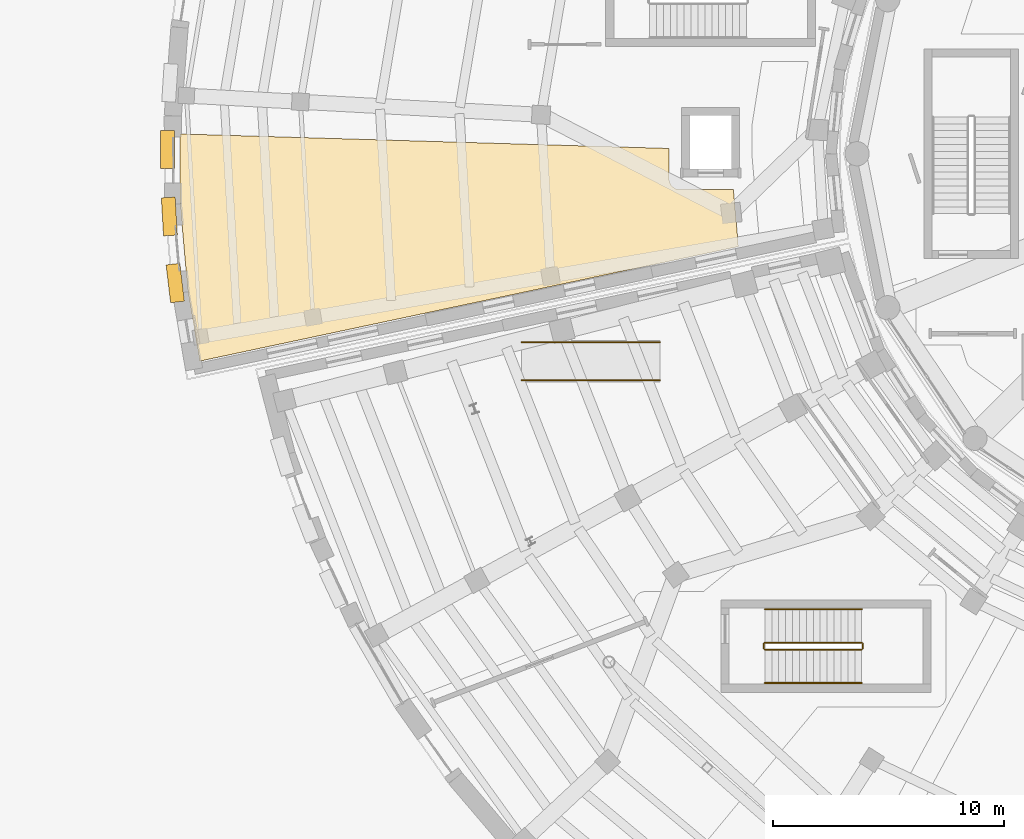
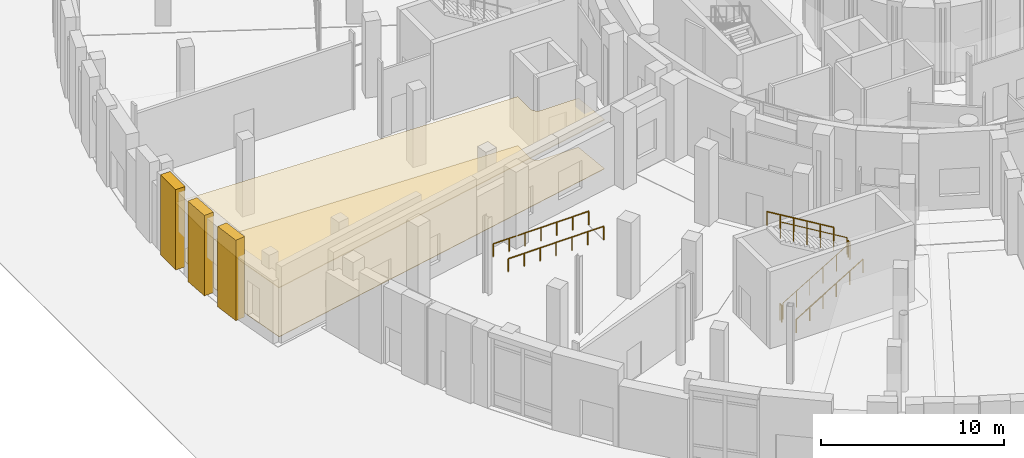
# One storey, part 58 of 74: 8 railings, 5 coverings.
"""IFC4 building model written with IfcOpenShell, lengths in metres."""

from ifc_helpers import new_model, si_unit, direction, frame, origin, origin_2d, place, context, subcontext, project, spatial, polyline, rectangle, circle, outline, extrude, material, layer, layer_set, type_object, element, save


model = new_model("IFC4")

# Units and contexts
model_context = context("Model", 3, precision=1e-05, world=origin(), true_north=direction((0.0, 1.0)))
body_context = subcontext(model_context, "Body", "Model", "MODEL_VIEW")
ifc_project = project(units=[si_unit("LENGTHUNIT", "METRE"), si_unit("AREAUNIT", "SQUARE_METRE"), si_unit("VOLUMEUNIT", "CUBIC_METRE"), si_unit("PLANEANGLEUNIT", "RADIAN"), si_unit("MASSUNIT", "GRAM", prefix="KILO")], contexts=[model_context])

# Site, building, storey
site_placement = place(None, origin())
site = spatial("IfcSite", under=ifc_project, at=site_placement, CompositionType="ELEMENT")
building_placement = place(site_placement, origin())
building = spatial("IfcBuilding", under=site, at=building_placement, Name="Soyqirgoq Riverine Aquarium", CompositionType="ELEMENT")
storey_placement = place(building_placement, origin())
storey = spatial("IfcBuildingStorey", under=building, at=storey_placement, Name="L01", CompositionType="ELEMENT", Elevation=0.0)

# Covering
ifc_material_1 = material(Name="Perforated mineral-fibre acoustic ceiling", Category="gypsum")
ifc_layer_1 = layer(ifc_material_1, 0.050048828125)
ifc_layer_set_1 = layer_set([ifc_layer_1], Name="Perforated mineral-fibre acoustic ceiling")
covering_type_1 = type_object("IfcCoveringType", Name="AcousticBaffleCeiling_50", PredefinedType="CEILING", material=ifc_layer_set_1)
covering_1_placement = place(storey_placement, frame((0.0, 0.0, 3.25)))
element("IfcCovering", 1, at=covering_1_placement, inside=storey, type_object=covering_type_1, Name="Syr Darya Floodplain Exhibit Suspended Ceiling", PredefinedType="CEILING", context=body_context, shape_type="SweptSolid", body=[
    extrude(outline(polyline([(9.533935546875, 51.02001953125), (9.200927734375, 54.820068359375), (9.18408203125, 57.85888671875), (30.39990234375, 57.22998046875), (30.39990234375, 55.89990234375), (30.402099609375, 55.85595703125), (30.408935546875, 55.81201171875), (30.4189453125, 55.76904296875), (30.43408203125, 55.72802734375), (30.452880859375, 55.68798828125), (30.47607421875, 55.64990234375), (30.501953125, 55.614990234375), (30.531982421875, 55.58203125), (30.56494140625, 55.552001953125), (30.60009765625, 55.52587890625), (30.637939453125, 55.5029296875), (30.677978515625, 55.48388671875), (30.718994140625, 55.468994140625), (30.761962890625, 55.458984375), (30.805908203125, 55.451904296875), (30.85009765625, 55.449951171875), (33.18603515625, 55.449951171875), (33.403076171875, 52.97412109375), (10.047119140625, 48.009033203125), (9.533935546875, 51.02001953125)])), origin(), (0.0, 0.0, 1.0), 0.050048828125),
])

# Railings
ifc_material_2 = material(Name="Brushed stainless steel 316L tubular handrail", Category="steel")
railing_type_1 = type_object("IfcRailingType", Name="StairPitchHandrail_920", PredefinedType="HANDRAIL", material=ifc_material_2)
railing_1_placement = place(storey_placement, frame((34.550048828125, 34.050048828125, 0.179931640625)))
element("IfcRailing", 2, at=railing_1_placement, inside=storey, type_object=railing_type_1, Name="L01 ST-2 stair handrail 1", PredefinedType="HANDRAIL", context=body_context, shape_type="SweptSolid", body=[
    extrude(circle(Radius=0.02392578125, at=origin_2d()), frame((0.0, 0.0, 0.89990234375), z_axis=(0.857488527567, 0.0, 0.514503085598), x_axis=(0.0, 1.0, 0.0)), (0.0, 0.0, 1.0), 4.89794921875),
    extrude(circle(Radius=0.02099609375, at=origin_2d()), origin(), (0.0, 0.0, 1.0), 0.875732421875),
    extrude(circle(Radius=0.02099609375, at=origin_2d()), frame((0.840087890625, 0.0, 0.50390625)), (0.0, 0.0, 1.0), 0.875732421875),
    extrude(circle(Radius=0.02099609375, at=origin_2d()), frame((1.679931640625, 0.0, 1.008056640625)), (0.0, 0.0, 1.0), 0.875732421875),
    extrude(circle(Radius=0.02099609375, at=origin_2d()), frame((2.52001953125, 0.0, 1.511962890625)), (0.0, 0.0, 1.0), 0.875732421875),
    extrude(circle(Radius=0.02099609375, at=origin_2d()), frame((3.35986328125, 0.0, 2.01611328125)), (0.0, 0.0, 1.0), 0.875732421875),
    extrude(circle(Radius=0.02099609375, at=origin_2d()), frame((4.199951171875, 0.0, 2.52001953125)), (0.0, 0.0, 1.0), 0.875732421875),
])
railing_2_placement = place(storey_placement, frame((38.75, 37.25, 2.8798828125)))
element("IfcRailing", 3, at=railing_2_placement, inside=storey, type_object=railing_type_1, Name="L01 ST-2 stair handrail 2", PredefinedType="HANDRAIL", context=body_context, shape_type="SweptSolid", body=[
    extrude(circle(Radius=0.02392578125, at=origin_2d()), frame((0.0, 0.0, 0.89990234375), z_axis=(-0.857488527567, 0.0, 0.514503085598), x_axis=(0.0, -1.0, 0.0)), (0.0, 0.0, 1.0), 4.89794921875),
    extrude(circle(Radius=0.02099609375, at=origin_2d()), origin(), (0.0, 0.0, 1.0), 0.875732421875),
    extrude(circle(Radius=0.02099609375, at=origin_2d()), frame((-0.840087890625, 0.0, 0.50390625)), (0.0, 0.0, 1.0), 0.875732421875),
    extrude(circle(Radius=0.02099609375, at=origin_2d()), frame((-1.679931640625, 0.0, 1.008056640625)), (0.0, 0.0, 1.0), 0.875732421875),
    extrude(circle(Radius=0.02099609375, at=origin_2d()), frame((-2.52001953125, 0.0, 1.511962890625)), (0.0, 0.0, 1.0), 0.875732421875),
    extrude(circle(Radius=0.02099609375, at=origin_2d()), frame((-3.35986328125, 0.0, 2.01611328125)), (0.0, 0.0, 1.0), 0.875732421875),
    extrude(circle(Radius=0.02099609375, at=origin_2d()), frame((-4.199951171875, 0.0, 2.52001953125)), (0.0, 0.0, 1.0), 0.875732421875),
])
for number, where, name in (
    (4, (24.0, 47.179931640625, -0.06005859375), "SW Entrance Step-Free Approach Ramp Handrail S"),
    (5, (24.0, 48.820068359375, -0.06005859375), "SW Entrance Step-Free Approach Ramp Handrail N"),
):
    element("IfcRailing", number, at=place(storey_placement, frame(where)), inside=storey, type_object=railing_type_1, Name=name, PredefinedType="HANDRAIL", context=body_context, shape_type="SweptSolid", body=[
        extrude(circle(Radius=0.02392578125, at=origin_2d()), frame((0.0, 0.0, 0.89599609375), z_axis=(0.99994990606, 0.0, 0.010009264196), x_axis=(0.0, 1.0, 0.0)), (0.0, 0.0, 1.0), 6.000244140625),
        extrude(circle(Radius=0.02099609375, at=origin_2d()), origin(), (0.0, 0.0, 1.0), 0.871826171875),
        extrude(circle(Radius=0.02099609375, at=origin_2d()), frame((1.0, 0.0, 0.010009765625)), (0.0, 0.0, 1.0), 0.871826171875),
        extrude(circle(Radius=0.02099609375, at=origin_2d()), frame((2.0, 0.0, 0.02001953125)), (0.0, 0.0, 1.0), 0.871826171875),
        extrude(circle(Radius=0.02099609375, at=origin_2d()), frame((3.0, 0.0, 0.030029296875)), (0.0, 0.0, 1.0), 0.871826171875),
        extrude(circle(Radius=0.02099609375, at=origin_2d()), frame((4.0, 0.0, 0.0400390625)), (0.0, 0.0, 1.0), 0.871826171875),
        extrude(circle(Radius=0.02099609375, at=origin_2d()), frame((5.0, 0.0, 0.050048828125)), (0.0, 0.0, 1.0), 0.871826171875),
        extrude(circle(Radius=0.02099609375, at=origin_2d()), frame((6.0, 0.0, 0.06005859375)), (0.0, 0.0, 1.0), 0.871826171875),
    ])
ifc_material_3 = material(Name="Painted steel infill stair-well guardrail", Category="steel")
railing_type_2 = type_object("IfcRailingType", Name="StairWellGuard_1120", PredefinedType="GUARDRAIL", material=ifc_material_3)
railing_3_placement = place(storey_placement, frame((34.550048828125, 35.5, 0.179931640625)))
element("IfcRailing", 6, at=railing_3_placement, inside=storey, type_object=railing_type_2, Name="L01 ST-2 stair guard 1", PredefinedType="GUARDRAIL", context=body_context, shape_type="SweptSolid", body=[
    extrude(circle(Radius=0.02392578125, at=origin_2d()), frame((0.0, 0.0, 1.09619140625), z_axis=(0.857488527567, 0.0, 0.514503085598), x_axis=(0.0, 1.0, 0.0)), (0.0, 0.0, 1.0), 4.89794921875),
    extrude(circle(Radius=0.02099609375, at=origin_2d()), origin(), (0.0, 0.0, 1.0), 1.072021484375),
    extrude(circle(Radius=0.02099609375, at=origin_2d()), frame((0.840087890625, 0.0, 0.50390625)), (0.0, 0.0, 1.0), 1.072021484375),
    extrude(circle(Radius=0.02099609375, at=origin_2d()), frame((1.679931640625, 0.0, 1.008056640625)), (0.0, 0.0, 1.0), 1.072021484375),
    extrude(circle(Radius=0.02099609375, at=origin_2d()), frame((2.52001953125, 0.0, 1.511962890625)), (0.0, 0.0, 1.0), 1.072021484375),
    extrude(circle(Radius=0.02099609375, at=origin_2d()), frame((3.35986328125, 0.0, 2.01611328125)), (0.0, 0.0, 1.0), 1.072021484375),
    extrude(circle(Radius=0.02099609375, at=origin_2d()), frame((4.199951171875, 0.0, 2.52001953125)), (0.0, 0.0, 1.0), 1.072021484375),
])
railing_4_placement = place(storey_placement, frame((38.800048828125, 35.550048828125, 2.699951171875)))
element("IfcRailing", 7, at=railing_4_placement, inside=storey, type_object=railing_type_2, Name="L01 ST-2 stair guard 2", PredefinedType="GUARDRAIL", context=body_context, shape_type="SweptSolid", body=[
    extrude(circle(Radius=0.02392578125, at=origin_2d()), frame((0.0, 0.0, 1.09619140625), z_axis=(0.0, 1.0, 0.0), x_axis=(-1.0, 0.0, 0.0)), (0.0, 0.0, 1.0), 0.199951171875),
    extrude(circle(Radius=0.02099609375, at=origin_2d()), origin(), (0.0, 0.0, 1.0), 1.072021484375),
    extrude(circle(Radius=0.02099609375, at=origin_2d()), frame((0.0, 0.199951171875, 0.0)), (0.0, 0.0, 1.0), 1.072021484375),
])
railing_5_placement = place(storey_placement, frame((38.75, 35.800048828125, 2.8798828125)))
element("IfcRailing", 8, at=railing_5_placement, inside=storey, type_object=railing_type_2, Name="L01 ST-2 stair guard 3", PredefinedType="GUARDRAIL", context=body_context, shape_type="SweptSolid", body=[
    extrude(circle(Radius=0.02392578125, at=origin_2d()), frame((0.0, 0.0, 1.09619140625), z_axis=(-0.857488527567, 0.0, 0.514503085598), x_axis=(0.0, -1.0, 0.0)), (0.0, 0.0, 1.0), 4.89794921875),
    extrude(circle(Radius=0.02099609375, at=origin_2d()), origin(), (0.0, 0.0, 1.0), 1.072021484375),
    extrude(circle(Radius=0.02099609375, at=origin_2d()), frame((-0.840087890625, 0.0, 0.50390625)), (0.0, 0.0, 1.0), 1.072021484375),
    extrude(circle(Radius=0.02099609375, at=origin_2d()), frame((-1.679931640625, 0.0, 1.008056640625)), (0.0, 0.0, 1.0), 1.072021484375),
    extrude(circle(Radius=0.02099609375, at=origin_2d()), frame((-2.52001953125, 0.0, 1.511962890625)), (0.0, 0.0, 1.0), 1.072021484375),
    extrude(circle(Radius=0.02099609375, at=origin_2d()), frame((-3.35986328125, 0.0, 2.01611328125)), (0.0, 0.0, 1.0), 1.072021484375),
    extrude(circle(Radius=0.02099609375, at=origin_2d()), frame((-4.199951171875, 0.0, 2.52001953125)), (0.0, 0.0, 1.0), 1.072021484375),
])
railing_6_placement = place(storey_placement, frame((34.5, 35.550048828125, 0.0)))
element("IfcRailing", 9, at=railing_6_placement, inside=storey, type_object=railing_type_2, Name="L01 ST-2 stair guard 4", PredefinedType="GUARDRAIL", context=body_context, shape_type="SweptSolid", body=[
    extrude(circle(Radius=0.02392578125, at=origin_2d()), frame((0.0, 0.0, 1.09619140625), z_axis=(0.0, 1.0, 0.0), x_axis=(-1.0, 0.0, 0.0)), (0.0, 0.0, 1.0), 0.199951171875),
    extrude(circle(Radius=0.02099609375, at=origin_2d()), origin(), (0.0, 0.0, 1.0), 1.072021484375),
    extrude(circle(Radius=0.02099609375, at=origin_2d()), frame((0.0, 0.199951171875, 0.0)), (0.0, 0.0, 1.0), 1.072021484375),
])

# Coverings
ifc_material_4 = material(Name="Polished Chirchiq river-pebble terrazzo flooring", Category="concrete")
ifc_layer_2 = layer(ifc_material_4, 0.030029296875)
ifc_layer_set_2 = layer_set([ifc_layer_2], Name="Polished Chirchiq river-pebble terrazzo flooring")
covering_type_2 = type_object("IfcCoveringType", Name="TerrazzoFloorFinish_30", PredefinedType="FLOORING", material=ifc_layer_set_2)
covering_2_placement = place(storey_placement, origin())
element("IfcCovering", 10, at=covering_2_placement, inside=storey, type_object=covering_type_2, Name="Syr Darya Floodplain Exhibit Floor Finish", PredefinedType="FLOORING", context=body_context, shape_type="SweptSolid", body=[
    extrude(outline(polyline([(9.533935546875, 51.02001953125), (9.200927734375, 54.820068359375), (9.18408203125, 57.85888671875), (30.39990234375, 57.22998046875), (30.39990234375, 55.89990234375), (30.402099609375, 55.85595703125), (30.408935546875, 55.81201171875), (30.4189453125, 55.76904296875), (30.43408203125, 55.72802734375), (30.452880859375, 55.68798828125), (30.47607421875, 55.64990234375), (30.501953125, 55.614990234375), (30.531982421875, 55.58203125), (30.56494140625, 55.552001953125), (30.60009765625, 55.52587890625), (30.637939453125, 55.5029296875), (30.677978515625, 55.48388671875), (30.718994140625, 55.468994140625), (30.761962890625, 55.458984375), (30.805908203125, 55.451904296875), (30.85009765625, 55.449951171875), (33.18603515625, 55.449951171875), (33.403076171875, 52.97412109375), (10.047119140625, 48.009033203125), (9.533935546875, 51.02001953125)])), origin(), (0.0, 0.0, 1.0), 0.030029296875),
])
ifc_material_5 = material(Name="Honed Uzbek travertine limestone vertical niche pier", Category="masonry")
covering_type_3 = type_object("IfcCoveringType", Name="TravertineNichePier_550", PredefinedType="CLADDING", material=ifc_material_5)
for number, where, z_axis, x_axis, name in (
    (11, (8.650390625, 57.177978515625, 0.0), (0.0, 0.0, 1.0), (-0.999992628267, 0.003839714919, 0.0), "V3 L01 Travertine Vertical Niche Pier 032"),
    (12, (8.72802734375, 54.28076171875, 0.0), (0.0, 0.0, 1.0), (-0.998351848226, -0.057389782566, 0.0), "V3 L01 Travertine Vertical Niche Pier 033"),
    (13, (8.983154296875, 51.3935546875, 0.0), (0.0, 0.0, 1.0), (-0.992965508107, -0.118403968307, 0.0), "V3 L01 Travertine Vertical Niche Pier 034"),
):
    element("IfcCovering", number, at=place(storey_placement, frame(where, z_axis=z_axis, x_axis=x_axis)), inside=storey, type_object=covering_type_3, Name=name, PredefinedType="CLADDING", context=body_context, shape_type="SweptSolid", body=[
        extrude(rectangle(XDim=0.60009765625, YDim=1.64990234375, at=origin_2d()), origin(), (0.0, 0.0, 1.0), 5.35009765625),
    ])

save(model, "model.ifc")
